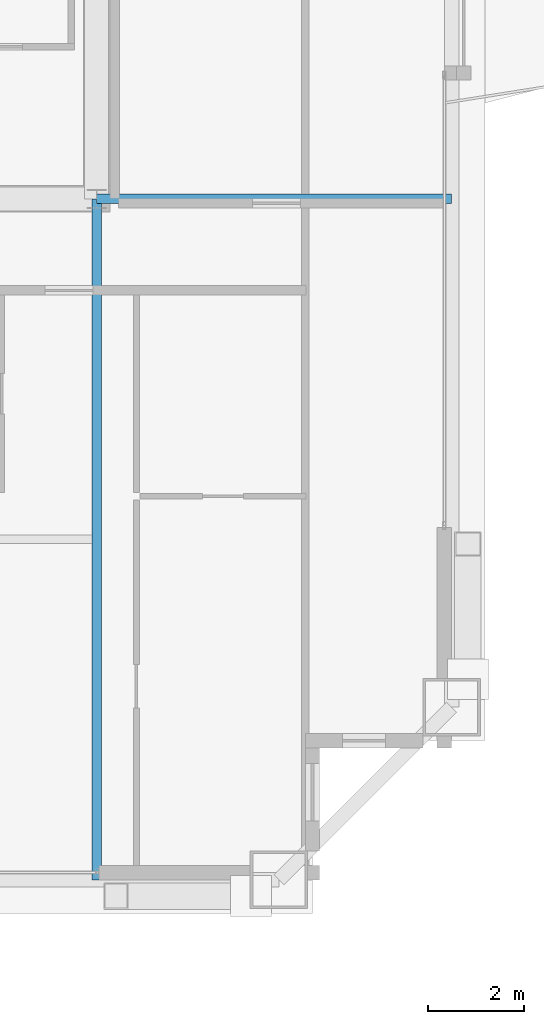
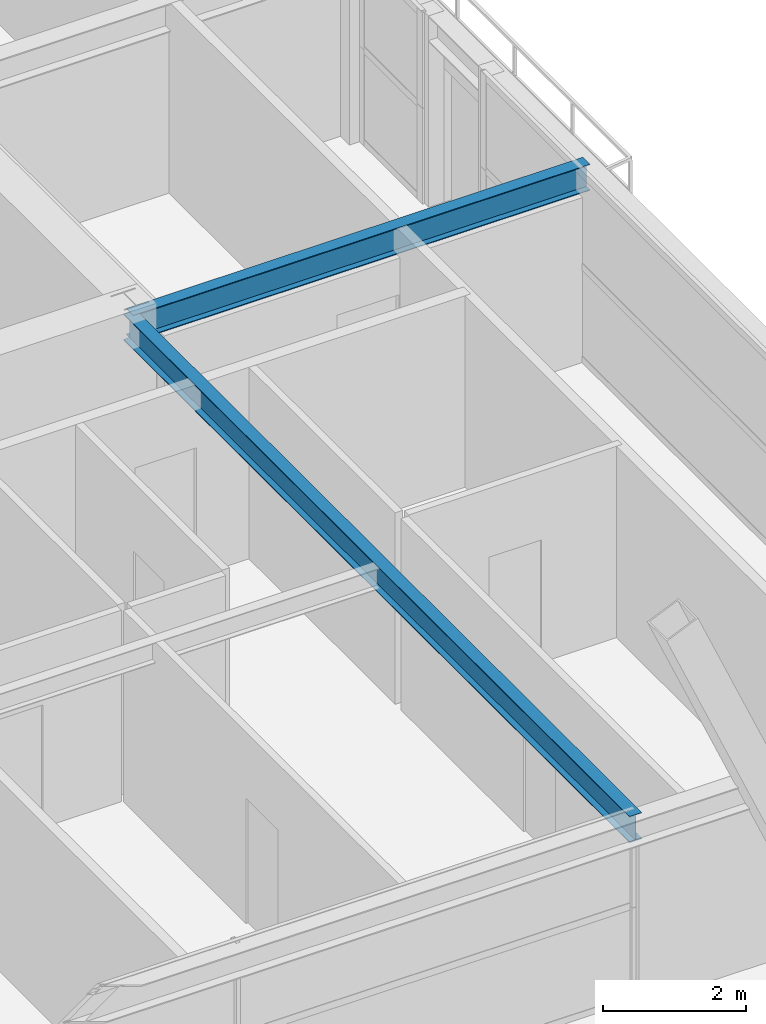
# One storey, part 14 of 35: 2 beams.
"""IFC4 building model written with IfcOpenShell, lengths in metres."""

from ifc_helpers import new_model, si_unit, direction, frame, origin, origin_2d, place, context, subcontext, project, spatial, i_section, extrude, source, transform, mapped, material, material_profile, profile_set, type_object, element, save


model = new_model("IFC4")

# Units and contexts
model_context = context("Model", 3, precision=1e-05, world=origin(), true_north=direction((0.0, 1.0)))
body_context = subcontext(model_context, "Body", "Model", "MODEL_VIEW")
ifc_project = project(units=[si_unit("LENGTHUNIT", "METRE"), si_unit("AREAUNIT", "SQUARE_METRE"), si_unit("VOLUMEUNIT", "CUBIC_METRE"), si_unit("PLANEANGLEUNIT", "RADIAN"), si_unit("MASSUNIT", "GRAM", prefix="KILO"), si_unit("THERMODYNAMICTEMPERATUREUNIT", "KELVIN"), si_unit("POWERUNIT", "WATT")], contexts=[model_context])

# Site, building, storey
site_placement = place(None, origin())
site = spatial("IfcSite", under=ifc_project, at=site_placement, CompositionType="ELEMENT")
building_placement = place(site_placement, origin())
building = spatial("IfcBuilding", under=site, at=building_placement, Name="Yuzanri Waterfront Tower", CompositionType="ELEMENT")
storey_placement = place(building_placement, frame((0.0, 0.0, 248.60009765625)))
storey = spatial("IfcBuildingStorey", under=building, at=storey_placement, Name="L66", CompositionType="ELEMENT", Elevation=248.60009765625)

# Beams
ifc_material = material(Name="Steel Q355B", Category="steel")
ifc_material_profile = material_profile(ifc_material, i_section(OverallWidth=0.199951171875, OverallDepth=0.449951171875, WebThickness=0.009033203125, FlangeThickness=0.013916015625, at=origin_2d()), Name="HN 450x200x9x14")
ifc_profile_set = profile_set([ifc_material_profile], Name="Steel Q355B")
beam_type = type_object("IfcBeamType", Name="Secondary Floor Beam Q355B HN 450x200", PredefinedType="BEAM", material=ifc_profile_set)
shared_shape_1 = source(origin(), body_context, "Body", "SweptSolid", [
    extrude(i_section(OverallWidth=0.199951171875, OverallDepth=0.449951171875, WebThickness=0.009033203125, FlangeThickness=0.013916015625, at=origin_2d()), origin(), (0.0, 0.0, 1.0), 14.199951171875),
])
beam_1_placement = place(storey_placement, frame((50.199951171875, 19.39990234375, 3.054931640625), z_axis=(0.0, -1.0, 0.0), x_axis=(1.0, 0.0, 0.0)))
element("IfcBeam", 1, at=beam_1_placement, inside=storey, type_object=beam_type, Name="L66 South-East Core Line Beam", PredefinedType="BEAM", context=body_context, shape_type="MappedRepresentation", body=[
    mapped(shared_shape_1, transform((0.0, 0.0, 0.0), scale=1.0)),
])
shared_shape_2 = source(origin(), body_context, "Body", "SweptSolid", [
    extrude(i_section(OverallWidth=0.199951171875, OverallDepth=0.449951171875, WebThickness=0.009033203125, FlangeThickness=0.013916015625, at=origin_2d()), origin(), (0.0, 0.0, 1.0), 7.400146484375),
])
beam_2_placement = place(storey_placement, frame((50.199951171875, 19.39990234375, 3.054931640625), z_axis=(1.0, 0.0, 0.0), x_axis=(0.0, 1.0, 0.0)))
element("IfcBeam", 2, at=beam_2_placement, inside=storey, type_object=beam_type, Name="L66 East-South Core Line Beam", PredefinedType="BEAM", context=body_context, shape_type="MappedRepresentation", body=[
    mapped(shared_shape_2, transform((0.0, 0.0, 0.0), scale=1.0)),
])

save(model, "model.ifc")
